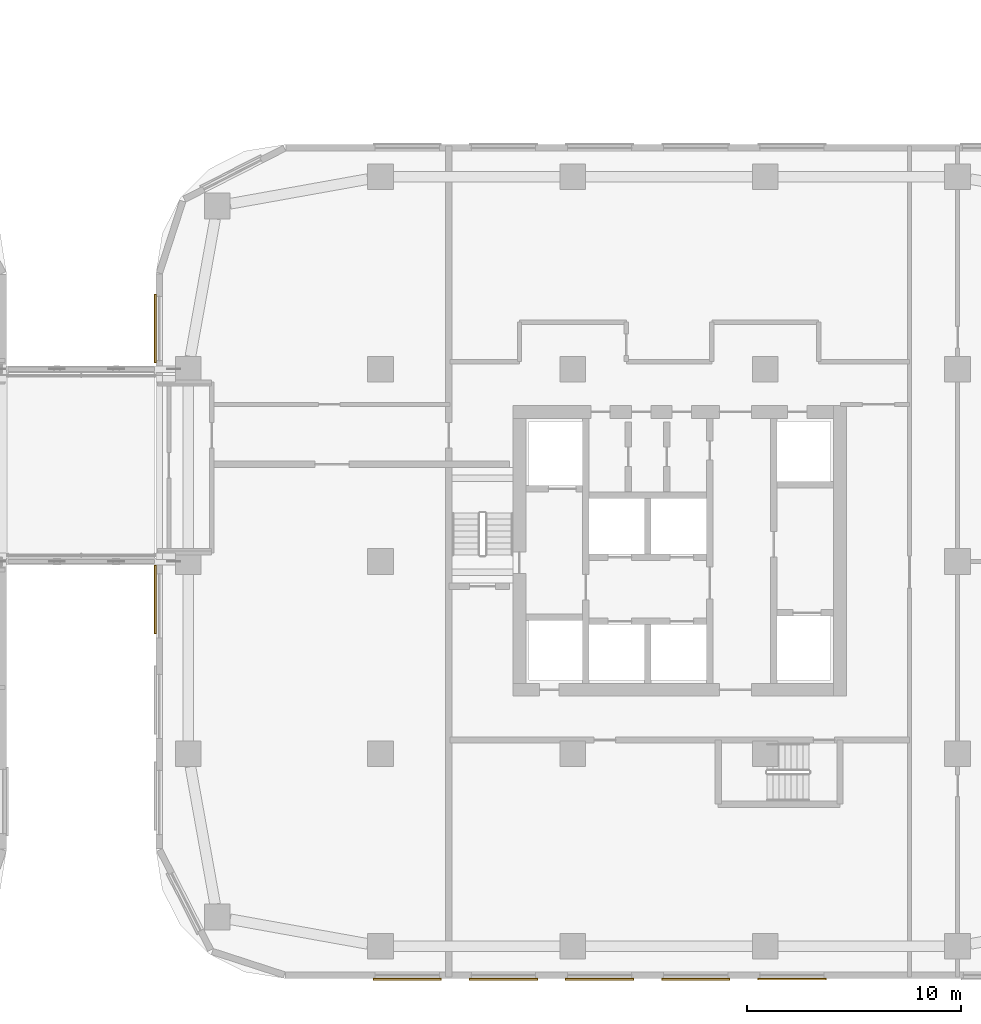
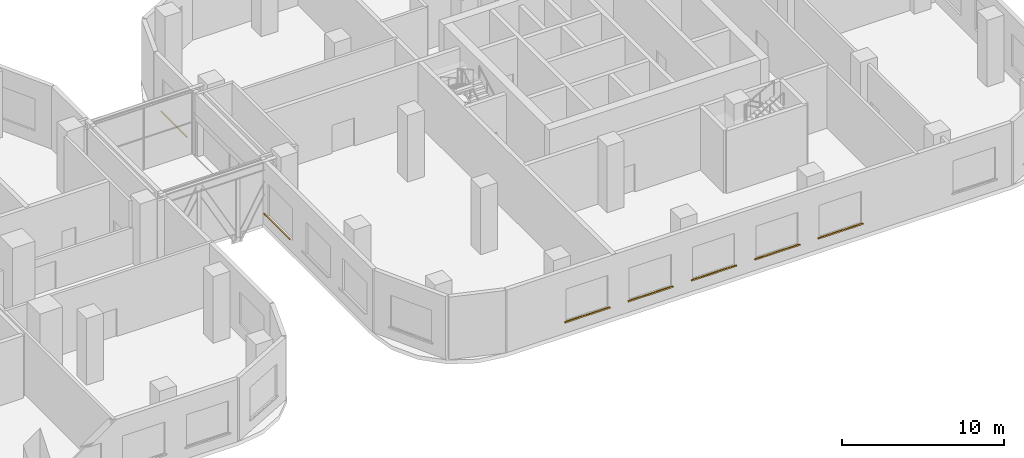
# One storey, part 33 of 35: 7 coverings.
"""IFC4 building model written with IfcOpenShell, lengths in metres."""

from ifc_helpers import new_model, si_unit, direction, frame, origin, origin_2d, place, context, subcontext, project, spatial, rectangle, extrude, material, layer, layer_set, type_object, element, save


model = new_model("IFC4")

# Units and contexts
model_context = context("Model", 3, precision=1e-05, world=origin(), true_north=direction((0.0, 1.0)))
body_context = subcontext(model_context, "Body", "Model", "MODEL_VIEW")
ifc_project = project(units=[si_unit("LENGTHUNIT", "METRE"), si_unit("AREAUNIT", "SQUARE_METRE"), si_unit("VOLUMEUNIT", "CUBIC_METRE"), si_unit("PLANEANGLEUNIT", "RADIAN"), si_unit("MASSUNIT", "GRAM", prefix="KILO")], contexts=[model_context])

# Site, building, storey
site_placement = place(None, origin())
site = spatial("IfcSite", under=ifc_project, at=site_placement, CompositionType="ELEMENT")
building_placement = place(site_placement, origin())
building = spatial("IfcBuilding", under=site, at=building_placement, Name="Ogive Portal Towers", CompositionType="ELEMENT")
storey_placement = place(building_placement, frame((0.0, 0.0, 23.5)))
storey = spatial("IfcBuildingStorey", under=building, at=storey_placement, Name="L04", CompositionType="ELEMENT", Elevation=23.5)

# Coverings
ifc_material = material(Name="Limestone cladding on lightweight block wall", Category="masonry")
ifc_layer = layer(ifc_material, 0.080078125)
ifc_layer_set = layer_set([ifc_layer], Name="STONE SILL 80")
covering_type = type_object("IfcCoveringType", Name="STONE SILL 80", PredefinedType="CLADDING", material=ifc_layer_set)
for number, where, z_axis, x_axis, name in (
    (1, (123.75, 10.9599609375, 0.840087890625), (0.0, 0.0, 1.0), (1.0, 0.0, 0.0), "Stone sill"),
    (2, (128.25, 10.9599609375, 0.840087890625), (0.0, 0.0, 1.0), (1.0, 0.0, 0.0), "Stone sill"),
    (3, (132.75, 10.9599609375, 0.840087890625), (0.0, 0.0, 1.0), (1.0, 0.0, 0.0), "Stone sill"),
    (4, (137.25, 10.9599609375, 0.840087890625), (0.0, 0.0, 1.0), (1.0, 0.0, 0.0), "Stone sill"),
    (5, (141.75, 10.9599609375, 0.840087890625), (0.0, 0.0, 1.0), (1.0, 0.0, 0.0), "Stone sill"),
    (6, (111.9599609375, 41.402587890625, 0.840087890625), (0.0, 0.0, 1.0), (0.0, -1.0, 0.0), "Stone sill"),
    (7, (111.9599609375, 28.723876953125, 0.840087890625), (0.0, 0.0, 1.0), (0.0, -1.0, 0.0), "Stone sill"),
):
    element("IfcCovering", number, at=place(storey_placement, frame(where, z_axis=z_axis, x_axis=x_axis)), inside=storey, type_object=covering_type, Name=name, PredefinedType="CLADDING", context=body_context, shape_type="SweptSolid", body=[
        extrude(rectangle(XDim=3.199951171875, YDim=0.080078125, at=origin_2d()), origin(), (0.0, 0.0, 1.0), 0.06005859375),
    ])

save(model, "model.ifc")
